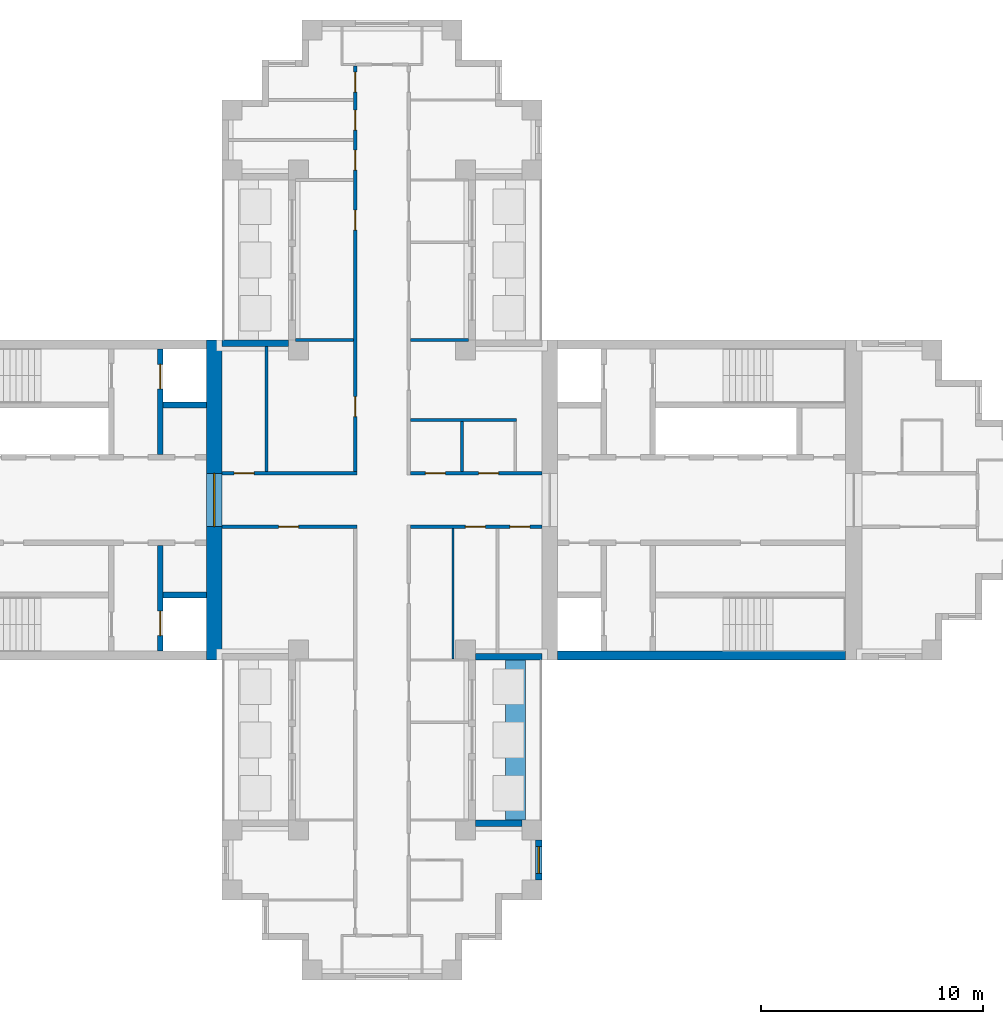
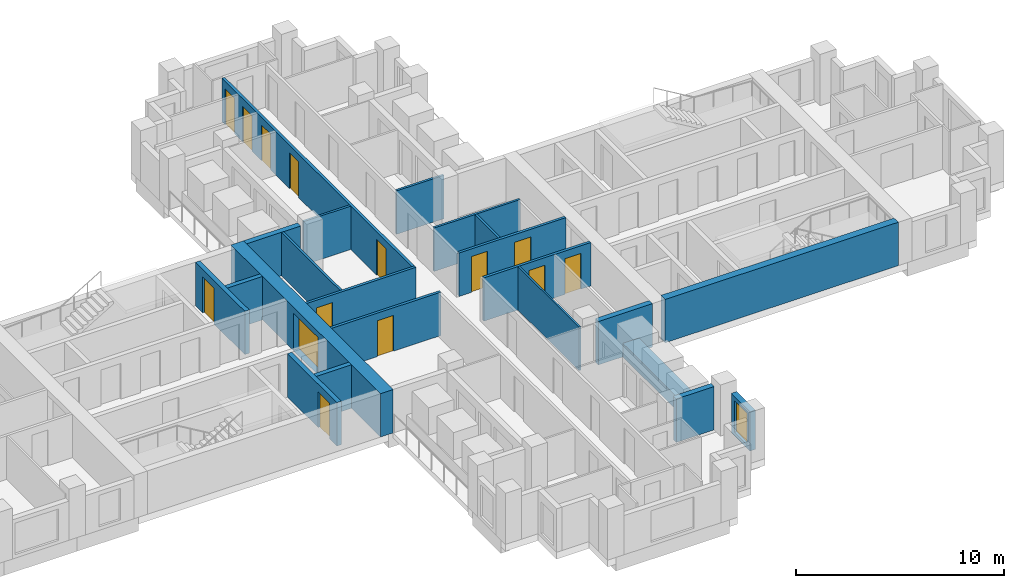
# One storey, part 5 of 10: 22 walls, 14 doors, 1 window, 15 openings.
"""IFC4 building model written with IfcOpenShell, lengths in metres."""

from ifc_helpers import new_model, si_unit, direction, frame, frame_2d, origin, place, context, subcontext, project, spatial, rectangle, extrude, material, layer, layer_set, type_object, element, fill, save


model = new_model("IFC4")

# Units and contexts
model_context = context("Model", 3, precision=1e-05, world=origin(), true_north=direction((0.0, 1.0)))
body_context = subcontext(model_context, "Body", "Model", "MODEL_VIEW")
ifc_project = project(units=[si_unit("LENGTHUNIT", "METRE"), si_unit("AREAUNIT", "SQUARE_METRE"), si_unit("VOLUMEUNIT", "CUBIC_METRE"), si_unit("PLANEANGLEUNIT", "RADIAN"), si_unit("MASSUNIT", "GRAM", prefix="KILO")], contexts=[model_context])

# Site, building, storey
site_placement = place(None, origin())
site = spatial("IfcSite", under=ifc_project, at=site_placement, CompositionType="ELEMENT")
building_placement = place(site_placement, origin())
building = spatial("IfcBuilding", under=site, at=building_placement, Name="Fustian Cross Tower", CompositionType="ELEMENT")
storey_placement = place(building_placement, frame((0.0, 0.0, 191.699951171875)))
storey = spatial("IfcBuildingStorey", under=building, at=storey_placement, Name="L60", CompositionType="ELEMENT", Elevation=191.699951171875)

# Wall, opening, door
ifc_material_1 = material(Name="Plasterboard on steel stud", Category="steel")
ifc_layer_1 = layer(ifc_material_1, 0.14990234375)
ifc_layer_set_1 = layer_set([ifc_layer_1], Name="Plasterboard on steel stud")
wall_type_1 = type_object("IfcWallType", Name="COMPARTMENT WALL 150 EI 60", PredefinedType="PARTITIONING", material=ifc_layer_set_1)
wall_1_placement = place(storey_placement, frame((-7.199951171875, -1.199951171875, 0.0), z_axis=(0.0, 0.0, 1.0), x_axis=(1.0, 0.0, 0.0)))
wall_1 = element("IfcWall", 1, at=wall_1_placement, inside=storey, type_object=wall_type_1, Name="Partition 13", PredefinedType="PARTITIONING", context=body_context, shape_type="SweptSolid", body=[
    extrude(rectangle(XDim=6.074951171875, YDim=0.14990234375, at=frame_2d((3.03759765625, 0.0))), origin(), (0.0, 0.0, 1.0), 2.550048828125),
])
opening_1_placement = place(wall_1_placement, frame((2.550048828125, 0.0, 0.0)))
opening_1 = element("IfcOpeningElement", 2, at=opening_1_placement, cuts=wall_1, Name="Opening D27009", PredefinedType="OPENING", context=body_context, shape_type="SweptSolid", body=[
    extrude(rectangle(XDim=0.89990234375, YDim=2.10009765625, at=frame_2d((0.449951171875, 1.050048828125))), frame((0.0, 0.0849609375, 0.0), z_axis=(0.0, -1.0, 0.0), x_axis=(1.0, 0.0, 0.0)), (0.0, 0.0, 1.0), 0.169921875),
])
ifc_material_2 = material(Name="Timber fire door set", Category="wood")
door_type_1 = type_object("IfcDoorType", Name="FIRE SWING DOOR 900 FD30S", OperationType="SINGLE_SWING_LEFT", PredefinedType="DOOR", material=ifc_material_2)
door_1_placement = place(opening_1_placement, frame((0.89990234375, 0.0, 0.0), z_axis=(0.0, 0.0, 1.0), x_axis=(-1.0, 0.0, 0.0)))
door_1 = element("IfcDoor", 3, at=door_1_placement, inside=storey, type_object=door_type_1, Name="Door D27009", OperationType="SINGLE_SWING_RIGHT", OverallHeight=2.10009765625, OverallWidth=0.89990234375, PredefinedType="DOOR", context=body_context, shape_type="SweptSolid", body=[
    extrude(rectangle(XDim=0.89990234375, YDim=2.10009765625, at=frame_2d((0.449951171875, 1.050048828125))), frame((0.0, 0.02490234375, 0.0), z_axis=(0.0, -1.0, 0.0), x_axis=(1.0, 0.0, 0.0)), (0.0, 0.0, 1.0), 0.050048828125),
])
fill(opening_1, door_1)

wall_2_placement = place(storey_placement, frame((-7.199951171875, 1.199951171875, 0.0), z_axis=(0.0, 0.0, 1.0), x_axis=(1.0, 0.0, 0.0)))
wall_2 = element("IfcWall", 4, at=wall_2_placement, inside=storey, type_object=wall_type_1, Name="Partition 14", PredefinedType="PARTITIONING", context=body_context, shape_type="SweptSolid", body=[
    extrude(rectangle(XDim=6.074951171875, YDim=0.14990234375, at=frame_2d((3.03759765625, 0.0))), origin(), (0.0, 0.0, 1.0), 2.550048828125),
])
opening_2_placement = place(wall_2_placement, frame((0.550048828125, 0.0, 0.0)))
opening_2 = element("IfcOpeningElement", 5, at=opening_2_placement, cuts=wall_2, Name="Opening D27005", PredefinedType="OPENING", context=body_context, shape_type="SweptSolid", body=[
    extrude(rectangle(XDim=0.89990234375, YDim=2.10009765625, at=frame_2d((0.449951171875, 1.050048828125))), frame((0.0, 0.0849609375, 0.0), z_axis=(0.0, -1.0, 0.0), x_axis=(1.0, 0.0, 0.0)), (0.0, 0.0, 1.0), 0.169921875),
])
door_2_placement = place(opening_2_placement, origin())
door_2 = element("IfcDoor", 6, at=door_2_placement, inside=storey, type_object=door_type_1, Name="Door D27005", OperationType="SINGLE_SWING_LEFT", OverallHeight=2.10009765625, OverallWidth=0.89990234375, PredefinedType="DOOR", context=body_context, shape_type="SweptSolid", body=[
    extrude(rectangle(XDim=0.89990234375, YDim=2.10009765625, at=frame_2d((0.449951171875, 1.050048828125))), frame((0.0, 0.02490234375, 0.0), z_axis=(0.0, -1.0, 0.0), x_axis=(1.0, 0.0, 0.0)), (0.0, 0.0, 1.0), 0.050048828125),
])
fill(opening_2, door_2)

# Wall, openings, doors
wall_3_placement = place(storey_placement, frame((-1.199951171875, 1.27490234375, 0.0), z_axis=(0.0, 0.0, 1.0), x_axis=(0.0, 1.0, 0.0)))
wall_3 = element("IfcWall", 7, at=wall_3_placement, inside=storey, type_object=wall_type_1, Name="Partition 29", PredefinedType="PARTITIONING", context=body_context, shape_type="SweptSolid", body=[
    extrude(rectangle(XDim=18.25, YDim=0.14990234375, at=frame_2d((9.125, 0.0))), origin(), (0.0, 0.0, 1.0), 2.550048828125),
])
opening_3_placement = place(wall_3_placement, frame((2.47509765625, 0.0, 0.0)))
opening_3 = element("IfcOpeningElement", 8, at=opening_3_placement, cuts=wall_3, Name="Opening D27004", PredefinedType="OPENING", context=body_context, shape_type="SweptSolid", body=[
    extrude(rectangle(XDim=0.89990234375, YDim=2.10009765625, at=frame_2d((0.449951171875, 1.050048828125))), frame((0.0, 0.0849609375, 0.0), z_axis=(0.0, -1.0, 0.0), x_axis=(1.0, 0.0, 0.0)), (0.0, 0.0, 1.0), 0.169921875),
])
opening_4_placement = place(wall_3_placement, frame((10.875, 0.0, 0.0)))
opening_4 = element("IfcOpeningElement", 9, at=opening_4_placement, cuts=wall_3, Name="Opening D27015", PredefinedType="OPENING", context=body_context, shape_type="SweptSolid", body=[
    extrude(rectangle(XDim=0.89990234375, YDim=2.10009765625, at=frame_2d((0.449951171875, 1.050048828125))), frame((0.0, 0.0849609375, 0.0), z_axis=(0.0, -1.0, 0.0), x_axis=(1.0, 0.0, 0.0)), (0.0, 0.0, 1.0), 0.169921875),
])
opening_5_placement = place(wall_3_placement, frame((13.574951171875, 0.0, 0.0)))
opening_5 = element("IfcOpeningElement", 10, at=opening_5_placement, cuts=wall_3, Name="Opening D27016", PredefinedType="OPENING", context=body_context, shape_type="SweptSolid", body=[
    extrude(rectangle(XDim=0.89990234375, YDim=2.10009765625, at=frame_2d((0.449951171875, 1.050048828125))), frame((0.0, 0.0849609375, 0.0), z_axis=(0.0, -1.0, 0.0), x_axis=(1.0, 0.0, 0.0)), (0.0, 0.0, 1.0), 0.169921875),
])
opening_6_placement = place(wall_3_placement, frame((15.375, 0.0, 0.0)))
opening_6 = element("IfcOpeningElement", 11, at=opening_6_placement, cuts=wall_3, Name="Opening D27017", PredefinedType="OPENING", context=body_context, shape_type="SweptSolid", body=[
    extrude(rectangle(XDim=0.89990234375, YDim=2.10009765625, at=frame_2d((0.449951171875, 1.050048828125))), frame((0.0, 0.0849609375, 0.0), z_axis=(0.0, -1.0, 0.0), x_axis=(1.0, 0.0, 0.0)), (0.0, 0.0, 1.0), 0.169921875),
])
opening_7_placement = place(wall_3_placement, frame((17.074951171875, 0.0, 0.0)))
opening_7 = element("IfcOpeningElement", 12, at=opening_7_placement, cuts=wall_3, Name="Opening D27018", PredefinedType="OPENING", context=body_context, shape_type="SweptSolid", body=[
    extrude(rectangle(XDim=0.89990234375, YDim=2.10009765625, at=frame_2d((0.449951171875, 1.050048828125))), frame((0.0, 0.0849609375, 0.0), z_axis=(0.0, -1.0, 0.0), x_axis=(1.0, 0.0, 0.0)), (0.0, 0.0, 1.0), 0.169921875),
])
door_3_placement = place(opening_3_placement, origin())
door_3 = element("IfcDoor", 13, at=door_3_placement, inside=storey, type_object=door_type_1, Name="Door D27004", OperationType="SINGLE_SWING_LEFT", OverallHeight=2.10009765625, OverallWidth=0.89990234375, PredefinedType="DOOR", context=body_context, shape_type="SweptSolid", body=[
    extrude(rectangle(XDim=0.89990234375, YDim=2.10009765625, at=frame_2d((0.449951171875, 1.050048828125))), frame((0.0, 0.02490234375, 0.0), z_axis=(0.0, -1.0, 0.0), x_axis=(1.0, 0.0, 0.0)), (0.0, 0.0, 1.0), 0.050048828125),
])
fill(opening_3, door_3)
door_4_placement = place(opening_4_placement, origin())
door_4 = element("IfcDoor", 14, at=door_4_placement, inside=storey, type_object=door_type_1, Name="Door D27015", OperationType="SINGLE_SWING_RIGHT", OverallHeight=2.10009765625, OverallWidth=0.89990234375, PredefinedType="DOOR", context=body_context, shape_type="SweptSolid", body=[
    extrude(rectangle(XDim=0.89990234375, YDim=2.10009765625, at=frame_2d((0.449951171875, 1.050048828125))), frame((0.0, 0.02490234375, 0.0), z_axis=(0.0, -1.0, 0.0), x_axis=(1.0, 0.0, 0.0)), (0.0, 0.0, 1.0), 0.050048828125),
])
fill(opening_4, door_4)
door_5_placement = place(opening_5_placement, origin())
door_5 = element("IfcDoor", 15, at=door_5_placement, inside=storey, type_object=door_type_1, Name="Door D27016", OperationType="SINGLE_SWING_RIGHT", OverallHeight=2.10009765625, OverallWidth=0.89990234375, PredefinedType="DOOR", context=body_context, shape_type="SweptSolid", body=[
    extrude(rectangle(XDim=0.89990234375, YDim=2.10009765625, at=frame_2d((0.449951171875, 1.050048828125))), frame((0.0, 0.02490234375, 0.0), z_axis=(0.0, -1.0, 0.0), x_axis=(1.0, 0.0, 0.0)), (0.0, 0.0, 1.0), 0.050048828125),
])
fill(opening_5, door_5)
door_6_placement = place(opening_6_placement, origin())
door_6 = element("IfcDoor", 16, at=door_6_placement, inside=storey, type_object=door_type_1, Name="Door D27017", OperationType="SINGLE_SWING_RIGHT", OverallHeight=2.10009765625, OverallWidth=0.89990234375, PredefinedType="DOOR", context=body_context, shape_type="SweptSolid", body=[
    extrude(rectangle(XDim=0.89990234375, YDim=2.10009765625, at=frame_2d((0.449951171875, 1.050048828125))), frame((0.0, 0.02490234375, 0.0), z_axis=(0.0, -1.0, 0.0), x_axis=(1.0, 0.0, 0.0)), (0.0, 0.0, 1.0), 0.050048828125),
])
fill(opening_6, door_6)
door_7_placement = place(opening_7_placement, origin())
door_7 = element("IfcDoor", 17, at=door_7_placement, inside=storey, type_object=door_type_1, Name="Door D27018", OperationType="SINGLE_SWING_LEFT", OverallHeight=2.10009765625, OverallWidth=0.89990234375, PredefinedType="DOOR", context=body_context, shape_type="SweptSolid", body=[
    extrude(rectangle(XDim=0.89990234375, YDim=2.10009765625, at=frame_2d((0.449951171875, 1.050048828125))), frame((0.0, 0.02490234375, 0.0), z_axis=(0.0, -1.0, 0.0), x_axis=(1.0, 0.0, 0.0)), (0.0, 0.0, 1.0), 0.050048828125),
])
fill(opening_7, door_7)

wall_4_placement = place(storey_placement, frame((1.27490234375, -1.199951171875, 0.0), z_axis=(0.0, 0.0, 1.0), x_axis=(1.0, 0.0, 0.0)))
wall_4 = element("IfcWall", 18, at=wall_4_placement, inside=storey, type_object=wall_type_1, Name="Partition 38", PredefinedType="PARTITIONING", context=body_context, shape_type="SweptSolid", body=[
    extrude(rectangle(XDim=5.925048828125, YDim=0.14990234375, at=frame_2d((2.96240234375, 0.0))), origin(), (0.0, 0.0, 1.0), 2.550048828125),
])
opening_8_placement = place(wall_4_placement, frame((2.47509765625, 0.0, 0.0)))
opening_8 = element("IfcOpeningElement", 19, at=opening_8_placement, cuts=wall_4, Name="Opening D27007", PredefinedType="OPENING", context=body_context, shape_type="SweptSolid", body=[
    extrude(rectangle(XDim=0.89990234375, YDim=2.10009765625, at=frame_2d((0.449951171875, 1.050048828125))), frame((0.0, 0.0849609375, 0.0), z_axis=(0.0, -1.0, 0.0), x_axis=(1.0, 0.0, 0.0)), (0.0, 0.0, 1.0), 0.169921875),
])
opening_9_placement = place(wall_4_placement, frame((4.47509765625, 0.0, 0.0)))
opening_9 = element("IfcOpeningElement", 20, at=opening_9_placement, cuts=wall_4, Name="Opening D27008", PredefinedType="OPENING", context=body_context, shape_type="SweptSolid", body=[
    extrude(rectangle(XDim=0.89990234375, YDim=2.10009765625, at=frame_2d((0.449951171875, 1.050048828125))), frame((0.0, 0.0849609375, 0.0), z_axis=(0.0, -1.0, 0.0), x_axis=(1.0, 0.0, 0.0)), (0.0, 0.0, 1.0), 0.169921875),
])
door_8_placement = place(opening_8_placement, frame((0.89990234375, 0.0, 0.0), z_axis=(0.0, 0.0, 1.0), x_axis=(-1.0, 0.0, 0.0)))
door_8 = element("IfcDoor", 21, at=door_8_placement, inside=storey, type_object=door_type_1, Name="Door D27007", OperationType="SINGLE_SWING_RIGHT", OverallHeight=2.10009765625, OverallWidth=0.89990234375, PredefinedType="DOOR", context=body_context, shape_type="SweptSolid", body=[
    extrude(rectangle(XDim=0.89990234375, YDim=2.10009765625, at=frame_2d((0.449951171875, 1.050048828125))), frame((0.0, 0.02490234375, 0.0), z_axis=(0.0, -1.0, 0.0), x_axis=(1.0, 0.0, 0.0)), (0.0, 0.0, 1.0), 0.050048828125),
])
fill(opening_8, door_8)
door_9_placement = place(opening_9_placement, frame((0.89990234375, 0.0, 0.0), z_axis=(0.0, 0.0, 1.0), x_axis=(-1.0, 0.0, 0.0)))
door_9 = element("IfcDoor", 22, at=door_9_placement, inside=storey, type_object=door_type_1, Name="Door D27008", OperationType="SINGLE_SWING_RIGHT", OverallHeight=2.10009765625, OverallWidth=0.89990234375, PredefinedType="DOOR", context=body_context, shape_type="SweptSolid", body=[
    extrude(rectangle(XDim=0.89990234375, YDim=2.10009765625, at=frame_2d((0.449951171875, 1.050048828125))), frame((0.0, 0.02490234375, 0.0), z_axis=(0.0, -1.0, 0.0), x_axis=(1.0, 0.0, 0.0)), (0.0, 0.0, 1.0), 0.050048828125),
])
fill(opening_9, door_9)

wall_5_placement = place(storey_placement, frame((1.27490234375, 1.199951171875, 0.0), z_axis=(0.0, 0.0, 1.0), x_axis=(1.0, 0.0, 0.0)))
wall_5 = element("IfcWall", 23, at=wall_5_placement, inside=storey, type_object=wall_type_1, Name="Partition 40", PredefinedType="PARTITIONING", context=body_context, shape_type="SweptSolid", body=[
    extrude(rectangle(XDim=5.925048828125, YDim=0.14990234375, at=frame_2d((2.96240234375, 0.0))), origin(), (0.0, 0.0, 1.0), 2.550048828125),
])
opening_10_placement = place(wall_5_placement, frame((0.675048828125, 0.0, 0.0)))
opening_10 = element("IfcOpeningElement", 24, at=opening_10_placement, cuts=wall_5, Name="Opening D27001", PredefinedType="OPENING", context=body_context, shape_type="SweptSolid", body=[
    extrude(rectangle(XDim=0.89990234375, YDim=2.10009765625, at=frame_2d((0.449951171875, 1.050048828125))), frame((0.0, 0.0849609375, 0.0), z_axis=(0.0, -1.0, 0.0), x_axis=(1.0, 0.0, 0.0)), (0.0, 0.0, 1.0), 0.169921875),
])
opening_11_placement = place(wall_5_placement, frame((3.074951171875, 0.0, 0.0)))
opening_11 = element("IfcOpeningElement", 25, at=opening_11_placement, cuts=wall_5, Name="Opening D27002", PredefinedType="OPENING", context=body_context, shape_type="SweptSolid", body=[
    extrude(rectangle(XDim=0.89990234375, YDim=2.10009765625, at=frame_2d((0.449951171875, 1.050048828125))), frame((0.0, 0.0849609375, 0.0), z_axis=(0.0, -1.0, 0.0), x_axis=(1.0, 0.0, 0.0)), (0.0, 0.0, 1.0), 0.169921875),
])
door_10_placement = place(opening_10_placement, origin())
door_10 = element("IfcDoor", 26, at=door_10_placement, inside=storey, type_object=door_type_1, Name="Door D27001", OperationType="SINGLE_SWING_LEFT", OverallHeight=2.10009765625, OverallWidth=0.89990234375, PredefinedType="DOOR", context=body_context, shape_type="SweptSolid", body=[
    extrude(rectangle(XDim=0.89990234375, YDim=2.10009765625, at=frame_2d((0.449951171875, 1.050048828125))), frame((0.0, 0.02490234375, 0.0), z_axis=(0.0, -1.0, 0.0), x_axis=(1.0, 0.0, 0.0)), (0.0, 0.0, 1.0), 0.050048828125),
])
fill(opening_10, door_10)
door_11_placement = place(opening_11_placement, origin())
door_11 = element("IfcDoor", 27, at=door_11_placement, inside=storey, type_object=door_type_1, Name="Door D27002", OperationType="SINGLE_SWING_LEFT", OverallHeight=2.10009765625, OverallWidth=0.89990234375, PredefinedType="DOOR", context=body_context, shape_type="SweptSolid", body=[
    extrude(rectangle(XDim=0.89990234375, YDim=2.10009765625, at=frame_2d((0.449951171875, 1.050048828125))), frame((0.0, 0.02490234375, 0.0), z_axis=(0.0, -1.0, 0.0), x_axis=(1.0, 0.0, 0.0)), (0.0, 0.0, 1.0), 0.050048828125),
])
fill(opening_11, door_11)

# Wall, opening, door
ifc_material_3 = material(Name="Concrete C50/60", Category="concrete")
ifc_layer_2 = layer(ifc_material_3, 0.699951171875)
ifc_layer_set_2 = layer_set([ifc_layer_2], Name="Concrete C50/60")
wall_type_2 = type_object("IfcWallType", Name="CORE END WALL 700 C50/60", PredefinedType="SHEAR", material=ifc_layer_set_2)
wall_6_placement = place(storey_placement, frame((-7.550048828125, -7.199951171875, 0.0), z_axis=(0.0, 0.0, 1.0), x_axis=(0.0, 1.0, 0.0)))
wall_6 = element("IfcWall", 28, at=wall_6_placement, inside=storey, type_object=wall_type_2, Name="Core end wall", PredefinedType="SHEAR", context=body_context, shape_type="SweptSolid", body=[
    extrude(rectangle(XDim=14.39990234375, YDim=0.699951171875, at=frame_2d((7.199951171875, 0.0))), origin(), (0.0, 0.0, 1.0), 2.550048828125),
])
opening_12_placement = place(wall_6_placement, frame((6.0, 0.0, 0.0)))
opening_12 = element("IfcOpeningElement", 29, at=opening_12_placement, cuts=wall_6, Name="Opening CD-25-27", PredefinedType="OPENING", context=body_context, shape_type="SweptSolid", body=[
    extrude(rectangle(XDim=2.39990234375, YDim=2.199951171875, at=frame_2d((1.199951171875, 1.10009765625))), frame((0.0, 0.35986328125, 0.0), z_axis=(0.0, -1.0, 0.0), x_axis=(1.0, 0.0, 0.0)), (0.0, 0.0, 1.0), 0.719970703125),
])
ifc_material_4 = material(Name="Steel", Category="steel")
door_type_2 = type_object("IfcDoorType", Name="FIRE DOOR FD30S DOUBLE 2400X2200", OperationType="DOUBLE_DOOR_DOUBLE_SWING", PredefinedType="DOOR", material=ifc_material_4)
door_12_placement = place(opening_12_placement, origin())
door_12 = element("IfcDoor", 30, at=door_12_placement, inside=storey, type_object=door_type_2, Name="Core door CD-25-27", OperationType="DOUBLE_DOOR_DOUBLE_SWING", OverallHeight=2.199951171875, OverallWidth=2.39990234375, PredefinedType="DOOR", context=body_context, shape_type="SweptSolid", body=[
    extrude(rectangle(XDim=2.39990234375, YDim=2.199951171875, at=frame_2d((1.199951171875, 1.10009765625))), frame((0.0, 0.02490234375, 0.0), z_axis=(0.0, -1.0, 0.0), x_axis=(1.0, 0.0, 0.0)), (0.0, 0.0, 1.0), 0.050048828125),
])
fill(opening_12, door_12)

# Walls
ifc_material_5 = material(Name="Concrete C50/60", Category="concrete")
ifc_layer_3 = layer(ifc_material_5, 0.39990234375)
ifc_layer_set_3 = layer_set([ifc_layer_3], Name="Concrete C50/60")
wall_type_3 = type_object("IfcWallType", Name="CORE FACADE WALL 400 C50/60", PredefinedType="SHEAR", material=ifc_layer_set_3)
wall_7_placement = place(storey_placement, frame((7.89990234375, -7.0, 0.0), z_axis=(0.0, 0.0, 1.0), x_axis=(1.0, 0.0, 0.0)))
element("IfcWall", 31, at=wall_7_placement, inside=storey, type_object=wall_type_3, Name="Core facade wall", PredefinedType="SHEAR", context=body_context, shape_type="SweptSolid", body=[
    extrude(rectangle(XDim=12.9501953125, YDim=0.39990234375, at=frame_2d((6.47509765625, 0.0))), origin(), (0.0, 0.0, 1.0), 2.550048828125),
])
ifc_material_6 = material(Name="Concrete C50/60", Category="concrete")
ifc_layer_4 = layer(ifc_material_6, 0.25)
ifc_layer_set_4 = layer_set([ifc_layer_4], Name="Concrete C50/60")
wall_type_4 = type_object("IfcWallType", Name="CORE SHAFT WALL 250 C50/60", PredefinedType="SHEAR", material=ifc_layer_set_4)
wall_8_placement = place(storey_placement, frame((-7.89990234375, 4.27490234375, 0.0), z_axis=(0.0, 0.0, 1.0), x_axis=(-1.0, 0.0, 0.0)))
element("IfcWall", 32, at=wall_8_placement, inside=storey, type_object=wall_type_4, Name="Core shaft wall", PredefinedType="SHEAR", context=body_context, shape_type="SweptSolid", body=[
    extrude(rectangle(XDim=1.9501953125, YDim=0.25, at=frame_2d((0.97509765625, 0.0))), origin(), (0.0, 0.0, 1.0), 2.550048828125),
])

# Wall, opening, door
wall_9_placement = place(storey_placement, frame((-9.97509765625, 2.050048828125, 0.0), z_axis=(0.0, 0.0, 1.0), x_axis=(0.0, 1.0, 0.0)))
wall_9 = element("IfcWall", 33, at=wall_9_placement, inside=storey, type_object=wall_type_4, Name="Core shaft wall", PredefinedType="SHEAR", context=body_context, shape_type="SweptSolid", body=[
    extrude(rectangle(XDim=4.75, YDim=0.25, at=frame_2d((2.375, 0.0))), origin(), (0.0, 0.0, 1.0), 2.550048828125),
])
opening_13_placement = place(wall_9_placement, frame((2.949951171875, 0.0, 0.0)))
opening_13 = element("IfcOpeningElement", 34, at=opening_13_placement, cuts=wall_9, Name="Opening LD", PredefinedType="OPENING", context=body_context, shape_type="SweptSolid", body=[
    extrude(rectangle(XDim=1.10009765625, YDim=2.10009765625, at=frame_2d((0.550048828125, 1.050048828125))), frame((0.0, 0.135009765625, 0.0), z_axis=(0.0, -1.0, 0.0), x_axis=(1.0, 0.0, 0.0)), (0.0, 0.0, 1.0), 0.27001953125),
])
ifc_material_7 = material(Name="Stainless steel", Category="steel")
door_type_3 = type_object("IfcDoorType", Name="LIFT LANDING DOOR 1100X2100", OperationType="SLIDING_TO_LEFT", PredefinedType="DOOR", material=ifc_material_7)
door_13_placement = place(opening_13_placement, origin())
door_13 = element("IfcDoor", 35, at=door_13_placement, inside=storey, type_object=door_type_3, Name="Landing door FL1W", OperationType="SLIDING_TO_LEFT", OverallHeight=2.10009765625, OverallWidth=1.10009765625, PredefinedType="DOOR", context=body_context, shape_type="SweptSolid", body=[
    extrude(rectangle(XDim=1.10009765625, YDim=2.10009765625, at=frame_2d((0.550048828125, 1.050048828125))), frame((0.0, 0.02490234375, 0.0), z_axis=(0.0, -1.0, 0.0), x_axis=(1.0, 0.0, 0.0)), (0.0, 0.0, 1.0), 0.050048828125),
])
fill(opening_13, door_13)

# Wall
wall_10_placement = place(storey_placement, frame((-7.89990234375, -4.27490234375, 0.0), z_axis=(0.0, 0.0, 1.0), x_axis=(-1.0, 0.0, 0.0)))
element("IfcWall", 36, at=wall_10_placement, inside=storey, type_object=wall_type_4, Name="Core shaft wall", PredefinedType="SHEAR", context=body_context, shape_type="SweptSolid", body=[
    extrude(rectangle(XDim=1.9501953125, YDim=0.25, at=frame_2d((0.97509765625, 0.0))), origin(), (0.0, 0.0, 1.0), 2.550048828125),
])

# Wall, opening, door
wall_11_placement = place(storey_placement, frame((-9.97509765625, -2.050048828125, 0.0), z_axis=(0.0, 0.0, 1.0), x_axis=(0.0, -1.0, 0.0)))
wall_11 = element("IfcWall", 37, at=wall_11_placement, inside=storey, type_object=wall_type_4, Name="Core shaft wall", PredefinedType="SHEAR", context=body_context, shape_type="SweptSolid", body=[
    extrude(rectangle(XDim=4.75, YDim=0.25, at=frame_2d((2.375, 0.0))), origin(), (0.0, 0.0, 1.0), 2.550048828125),
])
opening_14_placement = place(wall_11_placement, frame((2.949951171875, 0.0, 0.0)))
opening_14 = element("IfcOpeningElement", 38, at=opening_14_placement, cuts=wall_11, Name="Opening LD", PredefinedType="OPENING", context=body_context, shape_type="SweptSolid", body=[
    extrude(rectangle(XDim=1.10009765625, YDim=2.10009765625, at=frame_2d((0.550048828125, 1.050048828125))), frame((0.0, 0.135009765625, 0.0), z_axis=(0.0, -1.0, 0.0), x_axis=(1.0, 0.0, 0.0)), (0.0, 0.0, 1.0), 0.27001953125),
])
door_14_placement = place(opening_14_placement, origin())
door_14 = element("IfcDoor", 39, at=door_14_placement, inside=storey, type_object=door_type_3, Name="Landing door SV1W", OperationType="SLIDING_TO_LEFT", OverallHeight=2.10009765625, OverallWidth=1.10009765625, PredefinedType="DOOR", context=body_context, shape_type="SweptSolid", body=[
    extrude(rectangle(XDim=1.10009765625, YDim=2.10009765625, at=frame_2d((0.550048828125, 1.050048828125))), frame((0.0, 0.02490234375, 0.0), z_axis=(0.0, -1.0, 0.0), x_axis=(1.0, 0.0, 0.0)), (0.0, 0.0, 1.0), 0.050048828125),
])
fill(opening_14, door_14)

# Walls
ifc_material_8 = material(Name="Plasterboard on steel stud", Category="steel")
ifc_layer_5 = layer(ifc_material_8, 0.10009765625)
ifc_layer_set_5 = layer_set([ifc_layer_5], Name="Plasterboard on steel stud")
wall_type_5 = type_object("IfcWallType", Name="PARTITION 100 STUD", PredefinedType="PARTITIONING", material=ifc_layer_set_5)
wall_12_placement = place(storey_placement, frame((3.199951171875, -7.14990234375, 0.0), z_axis=(0.0, 0.0, 1.0), x_axis=(0.0, 1.0, 0.0)))
element("IfcWall", 40, at=wall_12_placement, inside=storey, type_object=wall_type_5, Name="Partition 49", PredefinedType="PARTITIONING", context=body_context, shape_type="SweptSolid", body=[
    extrude(rectangle(XDim=5.875, YDim=0.10009765625, at=frame_2d((2.9375, 0.0))), origin(), (0.0, 0.0, 1.0), 2.550048828125),
])
ifc_material_9 = material(Name="Concrete C40/50", Category="concrete")
ifc_layer_6 = layer(ifc_material_9, 0.89990234375)
ifc_layer_set_6 = layer_set([ifc_layer_6], Name="Concrete C40/50")
wall_type_6 = type_object("IfcWallType", Name="PK1 PLANTER 900", PredefinedType="PARAPET", material=ifc_layer_set_6)
wall_13_placement = place(storey_placement, frame((6.0, -14.39990234375, 0.0), z_axis=(0.0, 0.0, 1.0), x_axis=(0.0, 1.0, 0.0)))
element("IfcWall", 41, at=wall_13_placement, inside=storey, type_object=wall_type_6, Name="PLANTER", PredefinedType="PARAPET", context=body_context, shape_type="SweptSolid", body=[
    extrude(rectangle(XDim=7.199951171875, YDim=0.89990234375, at=frame_2d((3.60009765625, 0.0))), origin(), (0.0, 0.0, 1.0), 0.800048828125),
])
ifc_material_10 = material(Name="Plasterboard on steel stud", Category="steel")
ifc_layer_7 = layer(ifc_material_10, 0.125)
ifc_layer_set_7 = layer_set([ifc_layer_7], Name="Plasterboard on steel stud")
wall_type_7 = type_object("IfcWallType", Name="WET WALL 125 STUD", PredefinedType="PARTITIONING", material=ifc_layer_set_7)
wall_14_placement = place(storey_placement, frame((-5.199951171875, 1.27490234375, 0.0), z_axis=(0.0, 0.0, 1.0), x_axis=(0.0, 1.0, 0.0)))
element("IfcWall", 42, at=wall_14_placement, inside=storey, type_object=wall_type_7, Name="Partition 16", PredefinedType="PARTITIONING", context=body_context, shape_type="SweptSolid", body=[
    extrude(rectangle(XDim=5.625, YDim=0.125, at=frame_2d((2.8125, 0.0))), origin(), (0.0, 0.0, 1.0), 2.550048828125),
])
wall_15_placement = place(storey_placement, frame((-3.89990234375, 7.199951171875, 0.0), z_axis=(0.0, 0.0, 1.0), x_axis=(1.0, 0.0, 0.0)))
element("IfcWall", 43, at=wall_15_placement, inside=storey, type_object=wall_type_7, Name="Partition 21", PredefinedType="PARTITIONING", context=body_context, shape_type="SweptSolid", body=[
    extrude(rectangle(XDim=2.625, YDim=0.125, at=frame_2d((1.3125, 0.0))), origin(), (0.0, 0.0, 1.0), 2.550048828125),
])
wall_16_placement = place(storey_placement, frame((1.27490234375, 3.60009765625, 0.0), z_axis=(0.0, 0.0, 1.0), x_axis=(1.0, 0.0, 0.0)))
element("IfcWall", 44, at=wall_16_placement, inside=storey, type_object=wall_type_7, Name="Partition 41", PredefinedType="PARTITIONING", context=body_context, shape_type="SweptSolid", body=[
    extrude(rectangle(XDim=4.78759765625, YDim=0.125, at=frame_2d((2.393798828125, 0.0))), origin(), (0.0, 0.0, 1.0), 2.550048828125),
])
wall_17_placement = place(storey_placement, frame((1.27490234375, 7.199951171875, 0.0), z_axis=(0.0, 0.0, 1.0), x_axis=(1.0, 0.0, 0.0)))
element("IfcWall", 45, at=wall_17_placement, inside=storey, type_object=wall_type_7, Name="Partition 42", PredefinedType="PARTITIONING", context=body_context, shape_type="SweptSolid", body=[
    extrude(rectangle(XDim=2.625, YDim=0.125, at=frame_2d((1.3125, 0.0))), origin(), (0.0, 0.0, 1.0), 2.550048828125),
])
wall_18_placement = place(storey_placement, frame((3.60009765625, 1.27490234375, 0.0), z_axis=(0.0, 0.0, 1.0), x_axis=(0.0, 1.0, 0.0)))
element("IfcWall", 46, at=wall_18_placement, inside=storey, type_object=wall_type_7, Name="Partition 51", PredefinedType="PARTITIONING", context=body_context, shape_type="SweptSolid", body=[
    extrude(rectangle(XDim=2.2626953125, YDim=0.125, at=frame_2d((1.13134765625, 0.0))), origin(), (0.0, 0.0, 1.0), 2.550048828125),
])
ifc_material_11 = material(Name="Dark aluminium cladding on insulated backing wall", Category="aluminium")
ifc_layer_8 = layer(ifc_material_11, 0.300048828125)
ifc_layer_set_8 = layer_set([ifc_layer_8], Name="Dark aluminium cladding on insulated backing wall")
wall_type_8 = type_object("IfcWallType", Name="XW1 EXTERNAL WALL 300", PredefinedType="SOLIDWALL", material=ifc_layer_set_8)
wall_19_placement = place(storey_placement, frame((-4.199951171875, 7.050048828125, 0.0), z_axis=(0.0, 0.0, 1.0), x_axis=(-1.0, 0.0, 0.0)))
element("IfcWall", 47, at=wall_19_placement, inside=storey, type_object=wall_type_8, Name="External wall", PredefinedType="SOLIDWALL", context=body_context, shape_type="SweptSolid", body=[
    extrude(rectangle(XDim=3.0, YDim=0.300048828125, at=frame_2d((1.5, 0.0))), origin(), (0.0, 0.0, 1.0), 2.550048828125),
])

# Wall, opening, window
wall_20_placement = place(storey_placement, frame((7.050048828125, -17.10009765625, 0.0), z_axis=(0.0, 0.0, 1.0), x_axis=(0.0, 1.0, 0.0)))
wall_20 = element("IfcWall", 48, at=wall_20_placement, inside=storey, type_object=wall_type_8, Name="External wall", PredefinedType="SOLIDWALL", context=body_context, shape_type="SweptSolid", body=[
    extrude(rectangle(XDim=1.800048828125, YDim=0.300048828125, at=frame_2d((0.89990234375, 0.0))), origin(), (0.0, 0.0, 1.0), 2.300048828125),
])
opening_15_placement = place(wall_20_placement, frame((0.300048828125, 0.0, 0.199951171875)))
opening_15 = element("IfcOpeningElement", 49, at=opening_15_placement, cuts=wall_20, Name="Opening WN3", PredefinedType="OPENING", context=body_context, shape_type="SweptSolid", body=[
    extrude(rectangle(XDim=1.199951171875, YDim=1.85009765625, at=frame_2d((0.60009765625, 0.925048828125))), frame((0.0, 0.159912109375, 0.0), z_axis=(0.0, -1.0, 0.0), x_axis=(1.0, 0.0, 0.0)), (0.0, 0.0, 1.0), 0.320068359375),
])
ifc_material_12 = material(Name="Dark anodised aluminium and double glazing", Category="aluminium")
window_type = type_object("IfcWindowType", Name="WN3 WINDOW 1200X1850", PartitioningType="SINGLE_PANEL", PredefinedType="WINDOW", material=ifc_material_12)
window_placement = place(opening_15_placement, origin())
window = element("IfcWindow", 50, at=window_placement, inside=storey, type_object=window_type, Name="Window", OverallHeight=1.85009765625, OverallWidth=1.199951171875, PartitioningType="SINGLE_PANEL", PredefinedType="WINDOW", context=body_context, shape_type="SweptSolid", body=[
    extrude(rectangle(XDim=1.199951171875, YDim=1.85009765625, at=frame_2d((0.60009765625, 0.925048828125))), frame((0.0, 0.030029296875, 0.0), z_axis=(0.0, -1.0, 0.0), x_axis=(1.0, 0.0, 0.0)), (0.0, 0.0, 1.0), 0.06005859375),
])
fill(opening_15, window)

# Walls
wall_21_placement = place(storey_placement, frame((6.300048828125, -14.550048828125, 0.0), z_axis=(0.0, 0.0, 1.0), x_axis=(-1.0, 0.0, 0.0)))
element("IfcWall", 51, at=wall_21_placement, inside=storey, type_object=wall_type_8, Name="External wall", PredefinedType="SOLIDWALL", context=body_context, shape_type="SweptSolid", body=[
    extrude(rectangle(XDim=2.10009765625, YDim=0.300048828125, at=frame_2d((1.050048828125, 0.0))), origin(), (0.0, 0.0, 1.0), 2.550048828125),
])
wall_22_placement = place(storey_placement, frame((4.199951171875, -7.050048828125, 0.0), z_axis=(0.0, 0.0, 1.0), x_axis=(1.0, 0.0, 0.0)))
element("IfcWall", 52, at=wall_22_placement, inside=storey, type_object=wall_type_8, Name="External wall", PredefinedType="SOLIDWALL", context=body_context, shape_type="SweptSolid", body=[
    extrude(rectangle(XDim=3.0, YDim=0.300048828125, at=frame_2d((1.5, 0.0))), origin(), (0.0, 0.0, 1.0), 2.550048828125),
])

save(model, "model.ifc")
